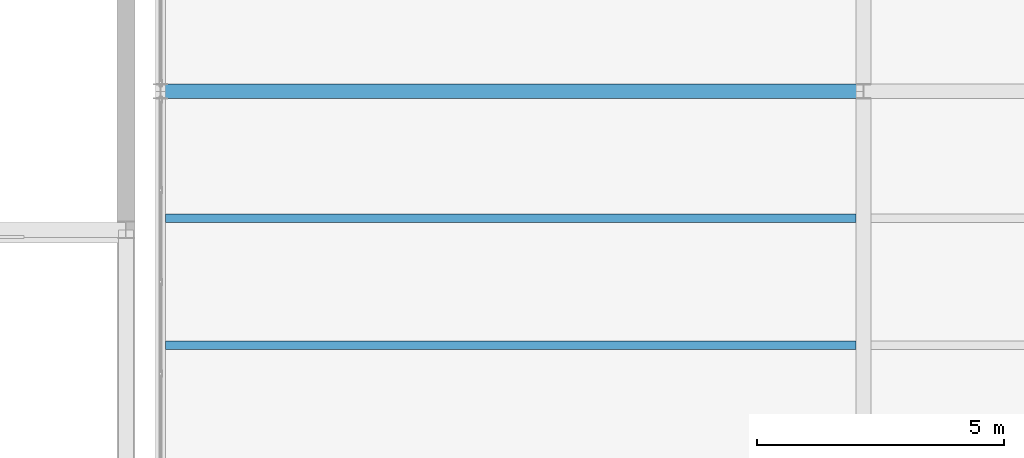
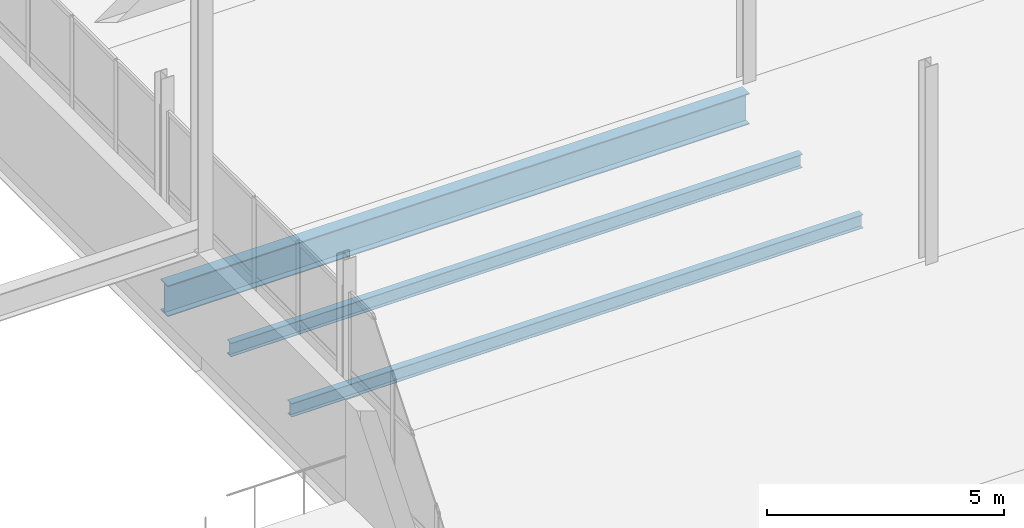
# One storey, part 123 of 218: 3 beams.
"""IFC4 building model written with IfcOpenShell, lengths in metres."""

from ifc_helpers import new_model, si_unit, direction, frame, origin, origin_2d, place, context, subcontext, project, spatial, i_section, extrude, material, material_profile, profile_set, type_object, element, save


model = new_model("IFC4")

# Units and contexts
model_context = context("Model", 3, precision=1e-05, world=origin(), true_north=direction((0.0, 1.0)))
body_context = subcontext(model_context, "Body", "Model", "MODEL_VIEW")
ifc_project = project(units=[si_unit("LENGTHUNIT", "METRE"), si_unit("AREAUNIT", "SQUARE_METRE"), si_unit("VOLUMEUNIT", "CUBIC_METRE"), si_unit("PLANEANGLEUNIT", "RADIAN"), si_unit("MASSUNIT", "GRAM", prefix="KILO")], contexts=[model_context])

# Site, building, storey
site_placement = place(None, origin())
site = spatial("IfcSite", under=ifc_project, at=site_placement, CompositionType="ELEMENT")
building_placement = place(site_placement, origin())
building = spatial("IfcBuilding", under=site, at=building_placement, Name="Kazenagashi Tramway Depot", CompositionType="ELEMENT")
storey_placement = place(building_placement, frame((0.0, 0.0, 6.0)))
storey = spatial("IfcBuildingStorey", under=building, at=storey_placement, Name="L02", CompositionType="ELEMENT", Elevation=6.0)

# Beams
ifc_material_1 = material(Name="Steel SN490B", Category="steel")
ifc_material_profile_1 = material_profile(ifc_material_1, i_section(OverallWidth=0.3, OverallDepth=0.8, WebThickness=0.014, FlangeThickness=0.026, at=origin_2d()), Name="H-800x300x14x26")
ifc_profile_set_1 = profile_set([ifc_material_profile_1], Name="Steel SN490B")
beam_type_1 = type_object("IfcBeamType", Name="G-07", PredefinedType="BEAM", material=ifc_profile_set_1)
beam_placement = place(storey_placement, frame((146.3, 38.5, -0.68), z_axis=(1.0, 0.0, 0.0), x_axis=(0.0, 1.0, 0.0)))
element("IfcBeam", 1, at=beam_placement, inside=storey, type_object=beam_type_1, Name="Beam G-07 BM-1207", PredefinedType="BEAM", context=body_context, shape_type="SweptSolid", body=[
    extrude(i_section(OverallWidth=0.3, OverallDepth=0.8, WebThickness=0.014, FlangeThickness=0.026, at=origin_2d()), origin(), (0.0, 0.0, 1.0), 14.2),
])
ifc_material_2 = material(Name="Steel SN400B", Category="steel")
ifc_material_profile_2 = material_profile(ifc_material_2, i_section(OverallWidth=0.175, OverallDepth=0.35, WebThickness=0.007, FlangeThickness=0.011, at=origin_2d()), Name="H-350x175x7x11")
ifc_profile_set_2 = profile_set([ifc_material_profile_2], Name="Steel SN400B")
beam_type_2 = type_object("IfcBeamType", Name="J-01", PredefinedType="JOIST", material=ifc_profile_set_2)
for number, where, z_axis, x_axis, name in (
    (2, (146.4, 33.367, -0.455), (1.0, 0.0, 0.0), (0.0, 1.0, 0.0), "Beam J-01 BM-1242"),
    (3, (146.4, 35.933, -0.455), (1.0, 0.0, 0.0), (0.0, 1.0, 0.0), "Beam J-01 BM-1243"),
):
    element("IfcBeam", number, at=place(storey_placement, frame(where, z_axis=z_axis, x_axis=x_axis)), inside=storey, type_object=beam_type_2, Name=name, PredefinedType="JOIST", context=body_context, shape_type="SweptSolid", body=[
        extrude(i_section(OverallWidth=0.175, OverallDepth=0.35, WebThickness=0.007, FlangeThickness=0.011, at=origin_2d()), origin(), (0.0, 0.0, 1.0), 13.95),
    ])

save(model, "model.ifc")
